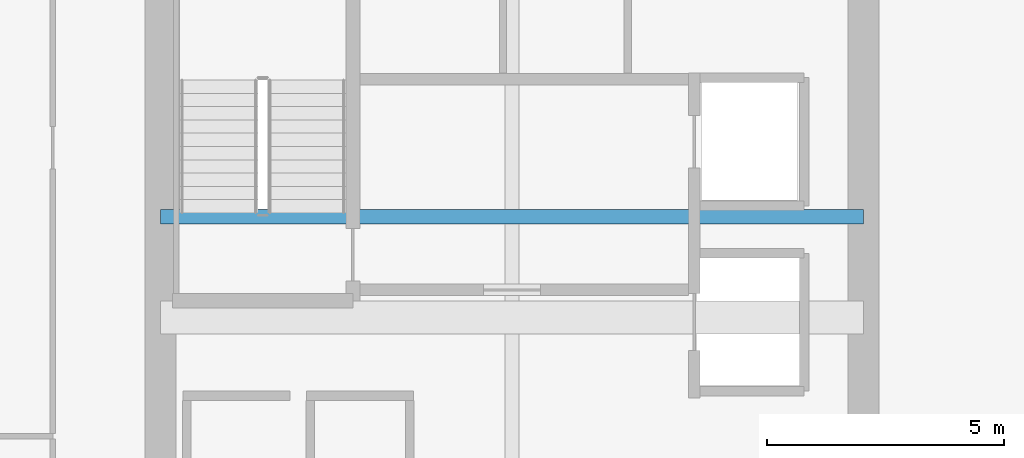
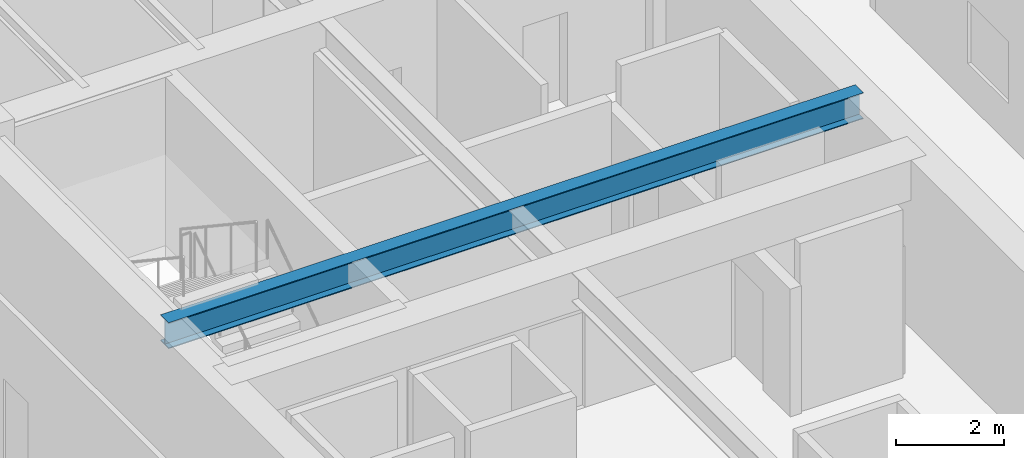
# One storey, part 9 of 30: 1 beam.
"""IFC4 building model written with IfcOpenShell, lengths in metres."""

from ifc_helpers import new_model, si_unit, direction, frame, origin, origin_2d, place, context, subcontext, project, spatial, i_section, extrude, source, transform, mapped, material, material_profile, profile_set, type_object, type_shapes, element, save


model = new_model("IFC4")

# Units and contexts
model_context = context("Model", 3, precision=1e-05, world=origin(), true_north=direction((0.0, 1.0)))
body_context = subcontext(model_context, "Body", "Model", "MODEL_VIEW")
ifc_project = project(units=[si_unit("LENGTHUNIT", "METRE"), si_unit("AREAUNIT", "SQUARE_METRE"), si_unit("VOLUMEUNIT", "CUBIC_METRE"), si_unit("PLANEANGLEUNIT", "RADIAN"), si_unit("MASSUNIT", "GRAM", prefix="KILO")], contexts=[model_context])

# Site, building, storey
site_placement = place(None, origin())
site = spatial("IfcSite", under=ifc_project, at=site_placement, CompositionType="ELEMENT")
building_placement = place(site_placement, origin())
building = spatial("IfcBuilding", under=site, at=building_placement, Name="Haelvirn Gate Laboratories", CompositionType="ELEMENT")
storey_placement = place(building_placement, frame((0.0, 0.0, 125.60009765625)))
storey = spatial("IfcBuildingStorey", under=building, at=storey_placement, Name="L30", CompositionType="ELEMENT", Elevation=125.60009765625)

# Beam
ifc_material = material(Name="Steel SM355", Category="steel")
ifc_material_profile = material_profile(ifc_material, i_section(OverallWidth=0.300048828125, OverallDepth=0.587890625, WebThickness=0.011962890625, FlangeThickness=0.02001953125, at=origin_2d()), Name="H-588x300x12x20")
ifc_profile_set = profile_set([ifc_material_profile], Name="Steel SM355")
beam_type = type_object("IfcBeamType", Name="BM-G-588", PredefinedType="BEAM", material=ifc_profile_set)
shared_shape = source(origin(), body_context, "Body", "SweptSolid", [
    extrude(i_section(OverallWidth=0.300048828125, OverallDepth=0.587890625, WebThickness=0.011962890625, FlangeThickness=0.02001953125, at=origin_2d()), origin(), (0.0, 0.0, 1.0), 14.800048828125),
])
type_shapes(beam_type, [shared_shape])
beam_placement = place(storey_placement, frame((7.39990234375, 26.6201171875, 3.495849609375), z_axis=(1.0, 0.0, 0.0), x_axis=(0.0, 1.0, 0.0)))
element("IfcBeam", 1, at=beam_placement, inside=storey, type_object=beam_type, Name="L30 Stair ST1 Landing Header", PredefinedType="BEAM", context=body_context, shape_type="MappedRepresentation", body=[
    mapped(shared_shape, transform((0.0, 0.0, 0.0), scale=1.0)),
])

save(model, "model.ifc")
